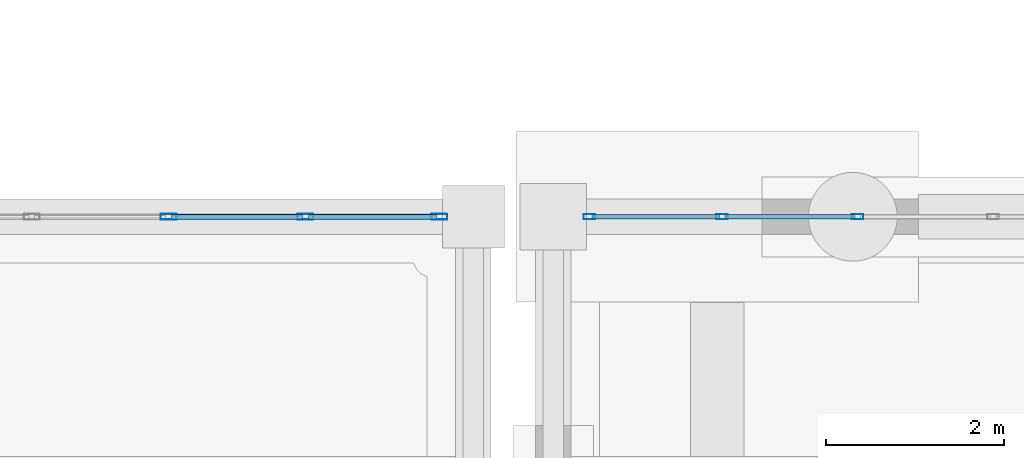
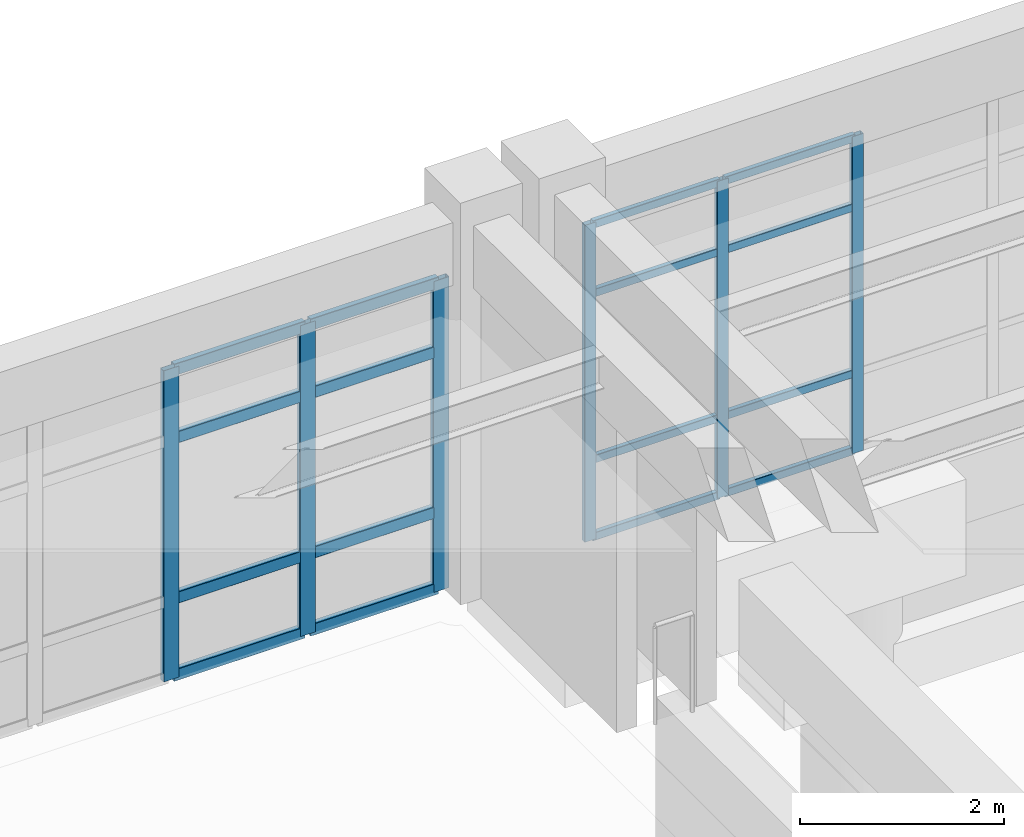
# One storey, part 28 of 111: 22 members, 2 elements without a shape of their own.
"""IFC4 building model written with IfcOpenShell, lengths in metres."""

from ifc_helpers import new_model, si_unit, direction, frame, origin, origin_2d, place, context, subcontext, project, spatial, hollow_rectangle, extrude, material, material_profile, profile_set, type_object, element, aggregate, save


model = new_model("IFC4")

# Units and contexts
model_context = context("Model", 3, precision=1e-05, world=origin(), true_north=direction((0.0, 1.0)))
body_context = subcontext(model_context, "Body", "Model", "MODEL_VIEW")
ifc_project = project(units=[si_unit("LENGTHUNIT", "METRE"), si_unit("AREAUNIT", "SQUARE_METRE"), si_unit("VOLUMEUNIT", "CUBIC_METRE"), si_unit("PLANEANGLEUNIT", "RADIAN"), si_unit("MASSUNIT", "GRAM", prefix="KILO")], contexts=[model_context])

# Site, building, storey
site_placement = place(None, origin())
site = spatial("IfcSite", under=ifc_project, at=site_placement, CompositionType="ELEMENT")
building_placement = place(site_placement, origin())
building = spatial("IfcBuilding", under=site, at=building_placement, Name="Canglan Escarpment Cableway Terminal", CompositionType="ELEMENT")
storey_placement = place(building_placement, frame((0.0, 0.0, 4.800048828125)))
storey = spatial("IfcBuildingStorey", under=building, at=storey_placement, Name="L01", CompositionType="ELEMENT", Elevation=4.800048828125)

# Curtain wall, members
ifc_material_1 = material(Name="Anodized bronze aluminium and Low-E double glazing", Category="aluminium")
curtain_wall_type_1 = type_object("IfcCurtainWallType", Name="CW-BAY-7625x3775", PredefinedType="NOTDEFINED", material=ifc_material_1)
curtain_wall_1_placement = place(storey_placement, origin())
curtain_wall_1 = element("IfcCurtainWall", 1, at=curtain_wall_1_placement, inside=storey, type_object=curtain_wall_type_1, Name="Classical bay-between-piers glazed curtain wall CW-10", PredefinedType="NOTDEFINED")
ifc_material_2 = material(Name="Thermally broken anodized aluminium 6063-T6", Category="aluminium")
ifc_material_profile_1 = material_profile(ifc_material_2, hollow_rectangle(XDim=0.06005859375, YDim=0.1298828125, WallThickness=0.0029296875, InnerFilletRadius=0.0029296875, OuterFilletRadius=0.006103515625, at=origin_2d()), Name="ALU-MULL 60x130x3")
ifc_profile_set_1 = profile_set([ifc_material_profile_1], Name="Thermally broken anodized aluminium 6063-T6")
member_type_1 = type_object("IfcMemberType", Name="CWM-01", PredefinedType="MULLION", material=ifc_profile_set_1)
member_1_placement = place(storey_placement, frame((80.425048828125, 24.800048828125, 0.0), z_axis=(0.0, 0.0, 1.0), x_axis=(0.0, -1.0, 0.0)))
member_1 = element("IfcMember", 2, at=member_1_placement, type_object=member_type_1, Name="CW-10 mullion 4", PredefinedType="MULLION", context=body_context, shape_type="SweptSolid", body=[
    extrude(hollow_rectangle(XDim=0.06005859375, YDim=0.1298828125, WallThickness=0.0029296875, InnerFilletRadius=0.0029296875, OuterFilletRadius=0.006103515625, at=origin_2d()), origin(), (0.0, 0.0, 1.0), 3.784912109375),
])
member_2_placement = place(storey_placement, frame((78.89990234375, 24.800048828125, 0.0), z_axis=(0.0, 0.0, 1.0), x_axis=(0.0, -1.0, 0.0)))
member_2 = element("IfcMember", 3, at=member_2_placement, type_object=member_type_1, Name="CW-10 mullion 5", PredefinedType="MULLION", context=body_context, shape_type="SweptSolid", body=[
    extrude(hollow_rectangle(XDim=0.06005859375, YDim=0.1298828125, WallThickness=0.0029296875, InnerFilletRadius=0.0029296875, OuterFilletRadius=0.006103515625, at=origin_2d()), origin(), (0.0, 0.0, 1.0), 3.784912109375),
])
member_3_placement = place(storey_placement, frame((77.405029296875, 24.800048828125, 0.0), z_axis=(0.0, 0.0, 1.0), x_axis=(0.0, -1.0, 0.0)))
member_3 = element("IfcMember", 4, at=member_3_placement, type_object=member_type_1, Name="CW-10 mullion 6", PredefinedType="MULLION", context=body_context, shape_type="SweptSolid", body=[
    extrude(hollow_rectangle(XDim=0.06005859375, YDim=0.1298828125, WallThickness=0.0029296875, InnerFilletRadius=0.0029296875, OuterFilletRadius=0.006103515625, at=origin_2d()), origin(), (0.0, 0.0, 1.0), 3.784912109375),
])

curtain_wall_type_2 = type_object("IfcCurtainWallType", Name="CW-BAY-7700x3725", PredefinedType="NOTDEFINED", material=ifc_material_1)
curtain_wall_2_placement = place(storey_placement, origin())
curtain_wall_2 = element("IfcCurtainWall", 5, at=curtain_wall_2_placement, inside=storey, type_object=curtain_wall_type_2, Name="Classical bay-between-piers glazed curtain wall CW-06", PredefinedType="NOTDEFINED")
ifc_material_profile_2 = material_profile(ifc_material_2, hollow_rectangle(XDim=0.06494140625, YDim=0.179931640625, WallThickness=0.00390625, InnerFilletRadius=0.00390625, OuterFilletRadius=0.008056640625, at=origin_2d()), Name="ALU-MULL 65x180x4")
ifc_profile_set_2 = profile_set([ifc_material_profile_2], Name="Thermally broken anodized aluminium 6063-T6")
member_type_2 = type_object("IfcMemberType", Name="CWM-03", PredefinedType="MULLION", material=ifc_profile_set_2)
member_4_placement = place(storey_placement, frame((75.717529296875, 24.800048828125, 0.0), z_axis=(0.0, 0.0, 1.0), x_axis=(0.0, -1.0, 0.0)))
member_4 = element("IfcMember", 6, at=member_4_placement, type_object=member_type_2, Name="CW-06 mullion 1", PredefinedType="MULLION", context=body_context, shape_type="SweptSolid", body=[
    extrude(hollow_rectangle(XDim=0.06494140625, YDim=0.179931640625, WallThickness=0.00390625, InnerFilletRadius=0.00390625, OuterFilletRadius=0.008056640625, at=origin_2d()), origin(), (0.0, 0.0, 1.0), 3.71484375),
])
member_5_placement = place(storey_placement, frame((74.2099609375, 24.800048828125, 0.0), z_axis=(0.0, 0.0, 1.0), x_axis=(0.0, -1.0, 0.0)))
member_5 = element("IfcMember", 7, at=member_5_placement, type_object=member_type_2, Name="CW-06 mullion 2", PredefinedType="MULLION", context=body_context, shape_type="SweptSolid", body=[
    extrude(hollow_rectangle(XDim=0.06494140625, YDim=0.179931640625, WallThickness=0.00390625, InnerFilletRadius=0.00390625, OuterFilletRadius=0.008056640625, at=origin_2d()), origin(), (0.0, 0.0, 1.0), 3.71484375),
])
member_6_placement = place(storey_placement, frame((72.669921875, 24.800048828125, 0.0), z_axis=(0.0, 0.0, 1.0), x_axis=(0.0, -1.0, 0.0)))
member_6 = element("IfcMember", 8, at=member_6_placement, type_object=member_type_2, Name="CW-06 mullion 3", PredefinedType="MULLION", context=body_context, shape_type="SweptSolid", body=[
    extrude(hollow_rectangle(XDim=0.06494140625, YDim=0.179931640625, WallThickness=0.00390625, InnerFilletRadius=0.00390625, OuterFilletRadius=0.008056640625, at=origin_2d()), origin(), (0.0, 0.0, 1.0), 3.71484375),
])

# Member
ifc_material_profile_3 = material_profile(ifc_material_2, hollow_rectangle(XDim=0.054931640625, YDim=0.094970703125, WallThickness=0.0029296875, InnerFilletRadius=0.0029296875, OuterFilletRadius=0.006103515625, at=origin_2d()), Name="ALU-TRAN 55x95x3")
ifc_profile_set_3 = profile_set([ifc_material_profile_3], Name="Thermally broken anodized aluminium 6063-T6")
member_type_3 = type_object("IfcMemberType", Name="CWT-01", PredefinedType="USERDEFINED", material=ifc_profile_set_3)
member_7_placement = place(storey_placement, frame((80.39501953125, 24.800048828125, 0.02734375), z_axis=(-1.0, 0.0, 0.0), x_axis=(0.0, -1.0, 0.0)))
member_7 = element("IfcMember", 9, at=member_7_placement, type_object=member_type_3, Name="CW-10 transom 4.1", ObjectType="TRANSOM", PredefinedType="USERDEFINED", context=body_context, shape_type="SweptSolid", body=[
    extrude(hollow_rectangle(XDim=0.054931640625, YDim=0.094970703125, WallThickness=0.0029296875, InnerFilletRadius=0.0029296875, OuterFilletRadius=0.006103515625, at=origin_2d()), origin(), (0.0, 0.0, 1.0), 1.465087890625),
])

member_8_placement = place(storey_placement, frame((80.39501953125, 24.800048828125, 0.949951171875), z_axis=(-1.0, 0.0, 0.0), x_axis=(0.0, -1.0, 0.0)))
member_8 = element("IfcMember", 10, at=member_8_placement, type_object=member_type_3, Name="CW-10 transom 4.2", ObjectType="TRANSOM", PredefinedType="USERDEFINED", context=body_context, shape_type="SweptSolid", body=[
    extrude(hollow_rectangle(XDim=0.054931640625, YDim=0.094970703125, WallThickness=0.0029296875, InnerFilletRadius=0.0029296875, OuterFilletRadius=0.006103515625, at=origin_2d()), origin(), (0.0, 0.0, 1.0), 1.465087890625),
])

member_9_placement = place(storey_placement, frame((80.39501953125, 24.800048828125, 2.93505859375), z_axis=(-1.0, 0.0, 0.0), x_axis=(0.0, -1.0, 0.0)))
member_9 = element("IfcMember", 11, at=member_9_placement, type_object=member_type_3, Name="CW-10 transom 4.3", ObjectType="TRANSOM", PredefinedType="USERDEFINED", context=body_context, shape_type="SweptSolid", body=[
    extrude(hollow_rectangle(XDim=0.054931640625, YDim=0.094970703125, WallThickness=0.0029296875, InnerFilletRadius=0.0029296875, OuterFilletRadius=0.006103515625, at=origin_2d()), origin(), (0.0, 0.0, 1.0), 1.465087890625),
])

member_10_placement = place(storey_placement, frame((80.39501953125, 24.800048828125, 3.757568359375), z_axis=(-1.0, 0.0, 0.0), x_axis=(0.0, -1.0, 0.0)))
member_10 = element("IfcMember", 12, at=member_10_placement, type_object=member_type_3, Name="CW-10 transom 4.4", ObjectType="TRANSOM", PredefinedType="USERDEFINED", context=body_context, shape_type="SweptSolid", body=[
    extrude(hollow_rectangle(XDim=0.054931640625, YDim=0.094970703125, WallThickness=0.0029296875, InnerFilletRadius=0.0029296875, OuterFilletRadius=0.006103515625, at=origin_2d()), origin(), (0.0, 0.0, 1.0), 1.465087890625),
])

member_11_placement = place(storey_placement, frame((78.8701171875, 24.800048828125, 0.02734375), z_axis=(-1.0, 0.0, 0.0), x_axis=(0.0, -1.0, 0.0)))
member_11 = element("IfcMember", 13, at=member_11_placement, type_object=member_type_3, Name="CW-10 transom 5.1", ObjectType="TRANSOM", PredefinedType="USERDEFINED", context=body_context, shape_type="SweptSolid", body=[
    extrude(hollow_rectangle(XDim=0.054931640625, YDim=0.094970703125, WallThickness=0.0029296875, InnerFilletRadius=0.0029296875, OuterFilletRadius=0.006103515625, at=origin_2d()), origin(), (0.0, 0.0, 1.0), 1.43505859375),
])

member_12_placement = place(storey_placement, frame((78.8701171875, 24.800048828125, 0.949951171875), z_axis=(-1.0, 0.0, 0.0), x_axis=(0.0, -1.0, 0.0)))
member_12 = element("IfcMember", 14, at=member_12_placement, type_object=member_type_3, Name="CW-10 transom 5.2", ObjectType="TRANSOM", PredefinedType="USERDEFINED", context=body_context, shape_type="SweptSolid", body=[
    extrude(hollow_rectangle(XDim=0.054931640625, YDim=0.094970703125, WallThickness=0.0029296875, InnerFilletRadius=0.0029296875, OuterFilletRadius=0.006103515625, at=origin_2d()), origin(), (0.0, 0.0, 1.0), 1.43505859375),
])

member_13_placement = place(storey_placement, frame((78.8701171875, 24.800048828125, 2.93505859375), z_axis=(-1.0, 0.0, 0.0), x_axis=(0.0, -1.0, 0.0)))
member_13 = element("IfcMember", 15, at=member_13_placement, type_object=member_type_3, Name="CW-10 transom 5.3", ObjectType="TRANSOM", PredefinedType="USERDEFINED", context=body_context, shape_type="SweptSolid", body=[
    extrude(hollow_rectangle(XDim=0.054931640625, YDim=0.094970703125, WallThickness=0.0029296875, InnerFilletRadius=0.0029296875, OuterFilletRadius=0.006103515625, at=origin_2d()), origin(), (0.0, 0.0, 1.0), 1.43505859375),
])

member_14_placement = place(storey_placement, frame((78.8701171875, 24.800048828125, 3.757568359375), z_axis=(-1.0, 0.0, 0.0), x_axis=(0.0, -1.0, 0.0)))
member_14 = element("IfcMember", 16, at=member_14_placement, type_object=member_type_3, Name="CW-10 transom 5.4", ObjectType="TRANSOM", PredefinedType="USERDEFINED", context=body_context, shape_type="SweptSolid", body=[
    extrude(hollow_rectangle(XDim=0.054931640625, YDim=0.094970703125, WallThickness=0.0029296875, InnerFilletRadius=0.0029296875, OuterFilletRadius=0.006103515625, at=origin_2d()), origin(), (0.0, 0.0, 1.0), 1.43505859375),
])

aggregate(curtain_wall_1, [member_1, member_2, member_3, member_7, member_8, member_9, member_10, member_11, member_12, member_13, member_14])

ifc_material_profile_4 = material_profile(ifc_material_2, hollow_rectangle(XDim=0.06494140625, YDim=0.139892578125, WallThickness=0.00341796875, InnerFilletRadius=0.00341796875, OuterFilletRadius=0.007080078125, at=origin_2d()), Name="ALU-TRAN 65x140x3.5")
ifc_profile_set_4 = profile_set([ifc_material_profile_4], Name="Thermally broken anodized aluminium 6063-T6")
member_type_4 = type_object("IfcMemberType", Name="CWT-03", PredefinedType="USERDEFINED", material=ifc_profile_set_4)
member_15_placement = place(storey_placement, frame((75.68505859375, 24.800048828125, 0.032470703125), z_axis=(-1.0, 0.0, 0.0), x_axis=(0.0, -1.0, 0.0)))
member_15 = element("IfcMember", 17, at=member_15_placement, type_object=member_type_4, Name="CW-06 transom 1.1", ObjectType="TRANSOM", PredefinedType="USERDEFINED", context=body_context, shape_type="SweptSolid", body=[
    extrude(hollow_rectangle(XDim=0.06494140625, YDim=0.139892578125, WallThickness=0.00341796875, InnerFilletRadius=0.00341796875, OuterFilletRadius=0.007080078125, at=origin_2d()), origin(), (0.0, 0.0, 1.0), 1.442626953125),
])

member_16_placement = place(storey_placement, frame((75.68505859375, 24.800048828125, 0.949951171875), z_axis=(-1.0, 0.0, 0.0), x_axis=(0.0, -1.0, 0.0)))
member_16 = element("IfcMember", 18, at=member_16_placement, type_object=member_type_4, Name="CW-06 transom 1.2", ObjectType="TRANSOM", PredefinedType="USERDEFINED", context=body_context, shape_type="SweptSolid", body=[
    extrude(hollow_rectangle(XDim=0.06494140625, YDim=0.139892578125, WallThickness=0.00341796875, InnerFilletRadius=0.00341796875, OuterFilletRadius=0.007080078125, at=origin_2d()), origin(), (0.0, 0.0, 1.0), 1.442626953125),
])

member_17_placement = place(storey_placement, frame((75.68505859375, 24.800048828125, 2.864990234375), z_axis=(-1.0, 0.0, 0.0), x_axis=(0.0, -1.0, 0.0)))
member_17 = element("IfcMember", 19, at=member_17_placement, type_object=member_type_4, Name="CW-06 transom 1.3", ObjectType="TRANSOM", PredefinedType="USERDEFINED", context=body_context, shape_type="SweptSolid", body=[
    extrude(hollow_rectangle(XDim=0.06494140625, YDim=0.139892578125, WallThickness=0.00341796875, InnerFilletRadius=0.00341796875, OuterFilletRadius=0.007080078125, at=origin_2d()), origin(), (0.0, 0.0, 1.0), 1.442626953125),
])

member_18_placement = place(storey_placement, frame((75.68505859375, 24.800048828125, 3.682373046875), z_axis=(-1.0, 0.0, 0.0), x_axis=(0.0, -1.0, 0.0)))
member_18 = element("IfcMember", 20, at=member_18_placement, type_object=member_type_4, Name="CW-06 transom 1.4", ObjectType="TRANSOM", PredefinedType="USERDEFINED", context=body_context, shape_type="SweptSolid", body=[
    extrude(hollow_rectangle(XDim=0.06494140625, YDim=0.139892578125, WallThickness=0.00341796875, InnerFilletRadius=0.00341796875, OuterFilletRadius=0.007080078125, at=origin_2d()), origin(), (0.0, 0.0, 1.0), 1.442626953125),
])

member_19_placement = place(storey_placement, frame((74.177490234375, 24.800048828125, 0.032470703125), z_axis=(-1.0, 0.0, 0.0), x_axis=(0.0, -1.0, 0.0)))
member_19 = element("IfcMember", 21, at=member_19_placement, type_object=member_type_4, Name="CW-06 transom 2.1", ObjectType="TRANSOM", PredefinedType="USERDEFINED", context=body_context, shape_type="SweptSolid", body=[
    extrude(hollow_rectangle(XDim=0.06494140625, YDim=0.139892578125, WallThickness=0.00341796875, InnerFilletRadius=0.00341796875, OuterFilletRadius=0.007080078125, at=origin_2d()), origin(), (0.0, 0.0, 1.0), 1.47509765625),
])

member_20_placement = place(storey_placement, frame((74.177490234375, 24.800048828125, 0.949951171875), z_axis=(-1.0, 0.0, 0.0), x_axis=(0.0, -1.0, 0.0)))
member_20 = element("IfcMember", 22, at=member_20_placement, type_object=member_type_4, Name="CW-06 transom 2.2", ObjectType="TRANSOM", PredefinedType="USERDEFINED", context=body_context, shape_type="SweptSolid", body=[
    extrude(hollow_rectangle(XDim=0.06494140625, YDim=0.139892578125, WallThickness=0.00341796875, InnerFilletRadius=0.00341796875, OuterFilletRadius=0.007080078125, at=origin_2d()), origin(), (0.0, 0.0, 1.0), 1.47509765625),
])

member_21_placement = place(storey_placement, frame((74.177490234375, 24.800048828125, 2.864990234375), z_axis=(-1.0, 0.0, 0.0), x_axis=(0.0, -1.0, 0.0)))
member_21 = element("IfcMember", 23, at=member_21_placement, type_object=member_type_4, Name="CW-06 transom 2.3", ObjectType="TRANSOM", PredefinedType="USERDEFINED", context=body_context, shape_type="SweptSolid", body=[
    extrude(hollow_rectangle(XDim=0.06494140625, YDim=0.139892578125, WallThickness=0.00341796875, InnerFilletRadius=0.00341796875, OuterFilletRadius=0.007080078125, at=origin_2d()), origin(), (0.0, 0.0, 1.0), 1.47509765625),
])

member_22_placement = place(storey_placement, frame((74.177490234375, 24.800048828125, 3.682373046875), z_axis=(-1.0, 0.0, 0.0), x_axis=(0.0, -1.0, 0.0)))
member_22 = element("IfcMember", 24, at=member_22_placement, type_object=member_type_4, Name="CW-06 transom 2.4", ObjectType="TRANSOM", PredefinedType="USERDEFINED", context=body_context, shape_type="SweptSolid", body=[
    extrude(hollow_rectangle(XDim=0.06494140625, YDim=0.139892578125, WallThickness=0.00341796875, InnerFilletRadius=0.00341796875, OuterFilletRadius=0.007080078125, at=origin_2d()), origin(), (0.0, 0.0, 1.0), 1.47509765625),
])

aggregate(curtain_wall_2, [member_4, member_5, member_6, member_15, member_16, member_17, member_18, member_19, member_20, member_21, member_22])

save(model, "model.ifc")
